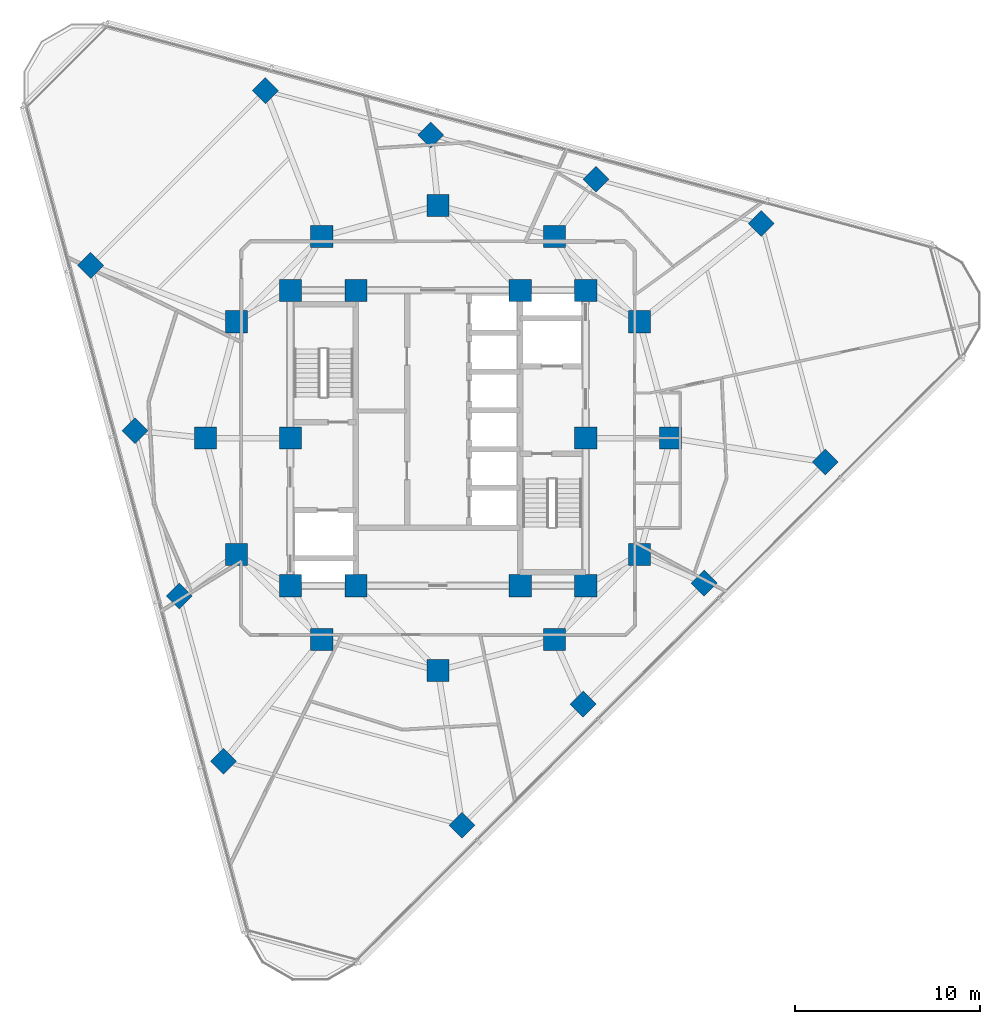
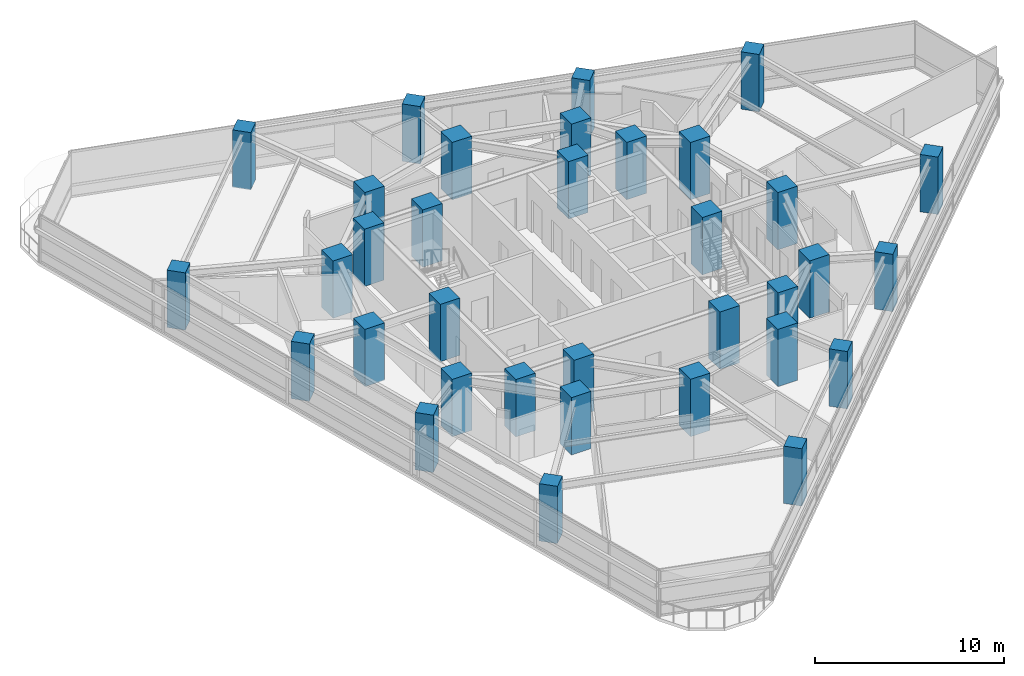
# One storey, part 1 of 14: 34 columns.
"""IFC4 building model written with IfcOpenShell, lengths in metres."""

from ifc_helpers import new_model, si_unit, direction, frame, origin, origin_2d, place, context, subcontext, project, spatial, rectangle, extrude, material, material_profile, profile_set, type_object, element, save


model = new_model("IFC4")

# Units and contexts
model_context = context("Model", 3, precision=1e-05, world=origin(), true_north=direction((0.0, 1.0)))
body_context = subcontext(model_context, "Body", "Model", "MODEL_VIEW")
ifc_project = project(units=[si_unit("LENGTHUNIT", "METRE"), si_unit("AREAUNIT", "SQUARE_METRE"), si_unit("VOLUMEUNIT", "CUBIC_METRE"), si_unit("PLANEANGLEUNIT", "RADIAN"), si_unit("MASSUNIT", "GRAM", prefix="KILO")], contexts=[model_context])

# Site, building, storey
site_placement = place(None, origin())
site = spatial("IfcSite", under=ifc_project, at=site_placement, CompositionType="ELEMENT")
building_placement = place(site_placement, origin())
building = spatial("IfcBuilding", under=site, at=building_placement, Name="Terralouvre Media Tower", CompositionType="ELEMENT")
storey_placement = place(building_placement, frame((0.0, 0.0, 184.199951171875)))
storey = spatial("IfcBuildingStorey", under=building, at=storey_placement, Name="L47", CompositionType="ELEMENT", Elevation=184.199951171875)

# Columns
ifc_material_1 = material(Name="Concrete C50/60", Category="concrete")
ifc_material_profile_1 = material_profile(ifc_material_1, rectangle(XDim=1.0, YDim=1.0, at=origin_2d()), Name="RC 1000x1000")
ifc_profile_set_1 = profile_set([ifc_material_profile_1], Name="Concrete C50/60")
column_type_1 = type_object("IfcColumnType", Name="Structural Column C-RC1000 (RC 1000x1000)", PredefinedType="COLUMN", material=ifc_profile_set_1)
for number, where, z_axis, x_axis, name in (
    (1, (1.3046875, -20.973388671875, 0.0), (0.0, 0.0, 1.0), (0.707106781187, 0.707106781187, 0.0), "L47 Perimeter Mega-Column PC11"),
    (2, (7.86083984375, -14.417236328125, 0.0), (0.0, 0.0, 1.0), (0.707106781187, 0.707106781187, 0.0), "L47 Perimeter Mega-Column PC12"),
    (3, (14.417236328125, -7.86083984375, 0.0), (0.0, 0.0, 1.0), (0.707106781187, 0.707106781187, 0.0), "L47 Perimeter Mega-Column PC13"),
    (4, (20.973388671875, -1.3046875, 0.0), (0.0, 0.0, 1.0), (0.707106781187, 0.707106781187, 0.0), "L47 Perimeter Mega-Column PC14"),
    (5, (17.51123046875, 11.616455078125, 0.0), (0.0, 0.0, 1.0), (0.707106781187, 0.707106781187, 0.0), "L47 Perimeter Mega-Column PC21"),
    (6, (8.55517578125, 14.016357421875, 0.0), (0.0, 0.0, 1.0), (0.707106781187, 0.707106781187, 0.0), "L47 Perimeter Mega-Column PC22"),
    (7, (-0.40087890625, 16.416015625, 0.0), (0.0, 0.0, 1.0), (0.707106781187, 0.707106781187, 0.0), "L47 Perimeter Mega-Column PC23"),
    (8, (-9.35693359375, 18.81591796875, 0.0), (0.0, 0.0, 1.0), (0.707106781187, 0.707106781187, 0.0), "L47 Perimeter Mega-Column PC24"),
    (9, (-18.81591796875, 9.35693359375, 0.0), (0.0, 0.0, 1.0), (0.707106781187, 0.707106781187, 0.0), "L47 Perimeter Mega-Column PC31"),
    (10, (-16.416015625, 0.40087890625, 0.0), (0.0, 0.0, 1.0), (0.707106781187, 0.707106781187, 0.0), "L47 Perimeter Mega-Column PC32"),
    (11, (-14.016357421875, -8.55517578125, 0.0), (0.0, 0.0, 1.0), (0.707106781187, 0.707106781187, 0.0), "L47 Perimeter Mega-Column PC33"),
    (12, (-11.616455078125, -17.51123046875, 0.0), (0.0, 0.0, 1.0), (0.707106781187, 0.707106781187, 0.0), "L47 Perimeter Mega-Column PC34"),
):
    element("IfcColumn", number, at=place(storey_placement, frame(where, z_axis=z_axis, x_axis=x_axis)), inside=storey, type_object=column_type_1, Name=name, PredefinedType="COLUMN", context=body_context, shape_type="SweptSolid", body=[
        extrude(rectangle(XDim=1.0, YDim=1.0, at=origin_2d()), origin(), (0.0, 0.0, 1.0), 3.699951171875),
    ])
ifc_material_2 = material(Name="Concrete C60/75", Category="concrete")
ifc_material_profile_2 = material_profile(ifc_material_2, rectangle(XDim=1.199951171875, YDim=1.199951171875, at=origin_2d()), Name="RC 1200x1200")
ifc_profile_set_2 = profile_set([ifc_material_profile_2], Name="Concrete C60/75")
column_type_2 = type_object("IfcColumnType", Name="Structural Column C-RC1200 (RC 1200x1200)", PredefinedType="COLUMN", material=ifc_profile_set_2)
for number, where, z_axis, x_axis, name in (
    (13, (-8.0, -8.0, 0.0), (0.0, 0.0, 1.0), (1.0, 0.0, 0.0), "L47 Core Pilaster Column CP1"),
    (14, (-4.449951171875, -8.0, 0.0), (0.0, 0.0, 1.0), (1.0, 0.0, 0.0), "L47 Core Pilaster Column CP2"),
    (15, (4.449951171875, -8.0, 0.0), (0.0, 0.0, 1.0), (1.0, 0.0, 0.0), "L47 Core Pilaster Column CP10"),
    (16, (8.0, -8.0, 0.0), (0.0, 0.0, 1.0), (1.0, 0.0, 0.0), "L47 Core Pilaster Column CP3"),
    (17, (8.0, 0.0, 0.0), (0.0, 0.0, 1.0), (1.0, 0.0, 0.0), "L47 Core Pilaster Column CP4"),
    (18, (8.0, 8.0, 0.0), (0.0, 0.0, 1.0), (1.0, 0.0, 0.0), "L47 Core Pilaster Column CP5"),
    (19, (4.449951171875, 8.0, 0.0), (0.0, 0.0, 1.0), (1.0, 0.0, 0.0), "L47 Core Pilaster Column CP9"),
    (20, (-4.449951171875, 8.0, 0.0), (0.0, 0.0, 1.0), (1.0, 0.0, 0.0), "L47 Core Pilaster Column CP6"),
    (21, (-8.0, 8.0, 0.0), (0.0, 0.0, 1.0), (1.0, 0.0, 0.0), "L47 Core Pilaster Column CP7"),
    (22, (-8.0, 0.0, 0.0), (0.0, 0.0, 1.0), (1.0, 0.0, 0.0), "L47 Core Pilaster Column CP8"),
    (23, (12.60009765625, 0.0, 0.0), (0.0, 0.0, 1.0), (1.0, 0.0, 0.0), "L47 Mega-Frame Column MC01"),
    (24, (10.911865234375, 6.300048828125, 0.0), (0.0, 0.0, 1.0), (1.0, 0.0, 0.0), "L47 Mega-Frame Column MC02"),
    (25, (6.300048828125, 10.911865234375, 0.0), (0.0, 0.0, 1.0), (1.0, 0.0, 0.0), "L47 Mega-Frame Column MC03"),
    (26, (0.0, 12.60009765625, 0.0), (0.0, 0.0, 1.0), (1.0, 0.0, 0.0), "L47 Mega-Frame Column MC04"),
    (27, (-6.300048828125, 10.911865234375, 0.0), (0.0, 0.0, 1.0), (1.0, 0.0, 0.0), "L47 Mega-Frame Column MC05"),
    (28, (-10.911865234375, 6.300048828125, 0.0), (0.0, 0.0, 1.0), (1.0, 0.0, 0.0), "L47 Mega-Frame Column MC06"),
    (29, (-12.60009765625, 0.0, 0.0), (0.0, 0.0, 1.0), (1.0, 0.0, 0.0), "L47 Mega-Frame Column MC07"),
    (30, (-10.911865234375, -6.300048828125, 0.0), (0.0, 0.0, 1.0), (1.0, 0.0, 0.0), "L47 Mega-Frame Column MC08"),
    (31, (-6.300048828125, -10.911865234375, 0.0), (0.0, 0.0, 1.0), (1.0, 0.0, 0.0), "L47 Mega-Frame Column MC09"),
    (32, (0.0, -12.60009765625, 0.0), (0.0, 0.0, 1.0), (1.0, 0.0, 0.0), "L47 Mega-Frame Column MC10"),
    (33, (6.300048828125, -10.911865234375, 0.0), (0.0, 0.0, 1.0), (1.0, 0.0, 0.0), "L47 Mega-Frame Column MC11"),
    (34, (10.911865234375, -6.300048828125, 0.0), (0.0, 0.0, 1.0), (1.0, 0.0, 0.0), "L47 Mega-Frame Column MC12"),
):
    element("IfcColumn", number, at=place(storey_placement, frame(where, z_axis=z_axis, x_axis=x_axis)), inside=storey, type_object=column_type_2, Name=name, PredefinedType="COLUMN", context=body_context, shape_type="SweptSolid", body=[
        extrude(rectangle(XDim=1.199951171875, YDim=1.199951171875, at=origin_2d()), origin(), (0.0, 0.0, 1.0), 3.699951171875),
    ])

save(model, "model.ifc")
